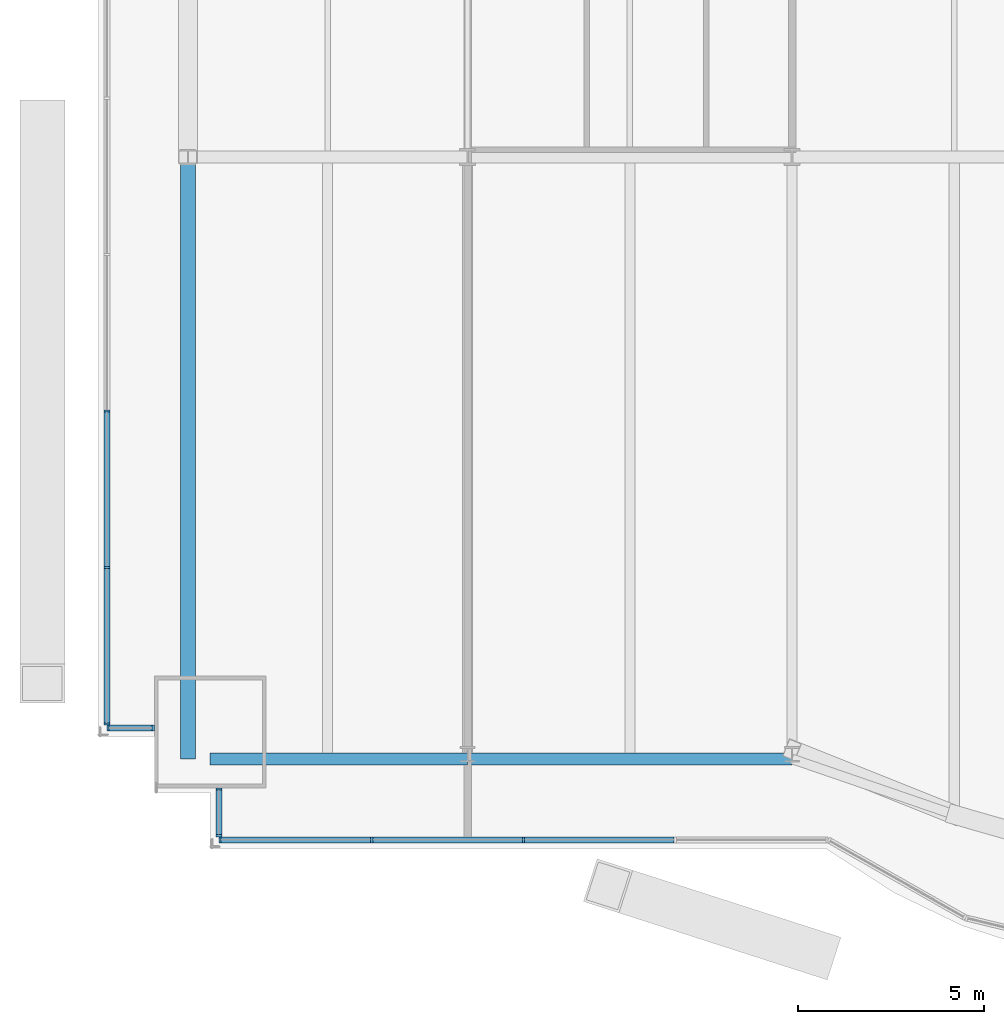
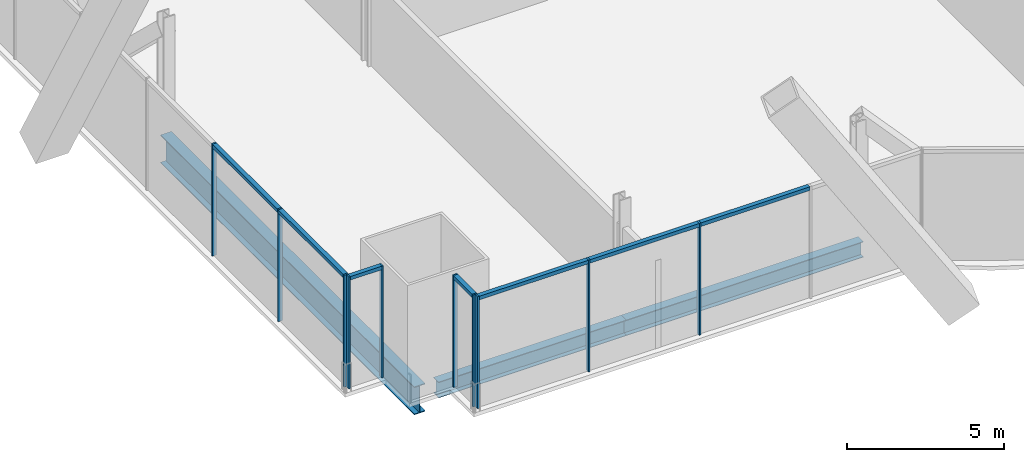
# One storey, part 4 of 23: 17 members, 3 beams, 4 elements without a shape of their own.
"""IFC4 building model written with IfcOpenShell, lengths in metres."""

from ifc_helpers import new_model, si_unit, direction, frame, origin, origin_2d, place, context, subcontext, project, spatial, rectangle, i_section, extrude, material, material_profile, profile_set, type_object, element, aggregate, save


model = new_model("IFC4")

# Units and contexts
model_context = context("Model", 3, precision=1e-05, world=origin(), true_north=direction((0.0, 1.0)))
body_context = subcontext(model_context, "Body", "Model", "MODEL_VIEW")
ifc_project = project(units=[si_unit("LENGTHUNIT", "METRE"), si_unit("AREAUNIT", "SQUARE_METRE"), si_unit("VOLUMEUNIT", "CUBIC_METRE"), si_unit("PLANEANGLEUNIT", "RADIAN"), si_unit("MASSUNIT", "GRAM", prefix="KILO")], contexts=[model_context])

# Site, building, storey
site_placement = place(None, origin())
site = spatial("IfcSite", under=ifc_project, at=site_placement, CompositionType="ELEMENT")
building_placement = place(site_placement, origin())
building = spatial("IfcBuilding", under=site, at=building_placement, Name="Bicima Exchange Tower", CompositionType="ELEMENT")
storey_placement = place(building_placement, frame((0.0, 0.0, 62.0)))
storey = spatial("IfcBuildingStorey", under=building, at=storey_placement, Name="L12", CompositionType="ELEMENT", Elevation=62.0)

# Curtain wall, members
ifc_material_1 = material(Name="Anodised bronze aluminium", Category="aluminium")
curtain_wall_type_1 = type_object("IfcCurtainWallType", Name="End face glass wall", PredefinedType="NOTDEFINED", material=ifc_material_1)
curtain_wall_1_placement = place(storey_placement, origin())
curtain_wall_1 = element("IfcCurtainWall", 1, at=curtain_wall_1_placement, inside=storey, type_object=curtain_wall_type_1, Name="End face glass wall L12 run 2", PredefinedType="NOTDEFINED")
ifc_material_profile_1 = material_profile(ifc_material_1, rectangle(XDim=0.159912109375, YDim=0.06005859375, at=origin_2d()))
ifc_profile_set_1 = profile_set([ifc_material_profile_1], Name="Anodised bronze aluminium")
member_type_1 = type_object("IfcMemberType", Name="End face glass wall mullion 60 x 160", PredefinedType="MULLION", material=ifc_profile_set_1)
member_1_placement = place(storey_placement, frame((-35.77001953125, -28.807373046875, 0.0), z_axis=(0.0, 0.0, 1.0), x_axis=(1.0, 0.0, 0.0)))
member_1 = element("IfcMember", 2, at=member_1_placement, type_object=member_type_1, Name="End face glass wall mullion 5", PredefinedType="MULLION", context=body_context, shape_type="SweptSolid", body=[
    extrude(rectangle(XDim=0.159912109375, YDim=0.06005859375, at=origin_2d()), origin(), (0.0, 0.0, 1.0), 4.35009765625),
])
member_2_placement = place(storey_placement, frame((-35.77001953125, -33.001708984375, 0.0), z_axis=(0.0, 0.0, 1.0), x_axis=(1.0, 0.0, 0.0)))
member_2 = element("IfcMember", 3, at=member_2_placement, type_object=member_type_1, Name="End face glass wall mullion 6", PredefinedType="MULLION", context=body_context, shape_type="SweptSolid", body=[
    extrude(rectangle(XDim=0.159912109375, YDim=0.06005859375, at=origin_2d()), origin(), (0.0, 0.0, 1.0), 4.35009765625),
])
member_3_placement = place(storey_placement, frame((-35.77001953125, -37.196044921875, 0.0), z_axis=(0.0, 0.0, 1.0), x_axis=(1.0, 0.0, 0.0)))
member_3 = element("IfcMember", 4, at=member_3_placement, type_object=member_type_1, Name="End face glass wall mullion 7", PredefinedType="MULLION", context=body_context, shape_type="SweptSolid", body=[
    extrude(rectangle(XDim=0.159912109375, YDim=0.06005859375, at=origin_2d()), origin(), (0.0, 0.0, 1.0), 4.35009765625),
])
ifc_material_profile_2 = material_profile(ifc_material_1, rectangle(XDim=0.159912109375, YDim=0.139892578125, at=origin_2d()))
ifc_profile_set_2 = profile_set([ifc_material_profile_2], Name="Anodised bronze aluminium")
member_type_2 = type_object("IfcMemberType", Name="End face glass wall transom 140 x 160", PredefinedType="USERDEFINED", material=ifc_profile_set_2)
member_4_placement = place(storey_placement, frame((-35.77001953125, -28.83740234375, 4.280029296875), z_axis=(0.0, -1.0, 0.0), x_axis=(1.0, 0.0, 0.0)))
member_4 = element("IfcMember", 5, at=member_4_placement, type_object=member_type_2, Name="End face glass wall transom 5.1", ObjectType="TRANSOM", PredefinedType="USERDEFINED", context=body_context, shape_type="SweptSolid", body=[
    extrude(rectangle(XDim=0.159912109375, YDim=0.139892578125, at=origin_2d()), origin(), (0.0, 0.0, 1.0), 4.13427734375),
])
member_5_placement = place(storey_placement, frame((-35.77001953125, -33.03173828125, 4.280029296875), z_axis=(0.0, -1.0, 0.0), x_axis=(1.0, 0.0, 0.0)))
member_5 = element("IfcMember", 6, at=member_5_placement, type_object=member_type_2, Name="End face glass wall transom 6.1", ObjectType="TRANSOM", PredefinedType="USERDEFINED", context=body_context, shape_type="SweptSolid", body=[
    extrude(rectangle(XDim=0.159912109375, YDim=0.139892578125, at=origin_2d()), origin(), (0.0, 0.0, 1.0), 4.13427734375),
])
aggregate(curtain_wall_1, [member_1, member_2, member_3, member_4, member_5])

# Beams
ifc_material_2 = material(Name="Steel ASTM A992 Gr 50", Category="steel")
ifc_material_profile_3 = material_profile(ifc_material_2, i_section(OverallWidth=0.4013671875, OverallDepth=1.089599609375, WebThickness=0.01806640625, FlangeThickness=0.031005859375, at=origin_2d()))
ifc_profile_set_3 = profile_set([ifc_material_profile_3], Name="Steel ASTM A992 Gr 50")
beam_type_1 = type_object("IfcBeamType", Name="End girder W44x230", PredefinedType="BEAM", material=ifc_profile_set_3)
beam_1_placement = place(storey_placement, frame((-33.60009765625, -22.0, -0.69482421875), z_axis=(0.0, -1.0, 0.0), x_axis=(1.0, 0.0, 0.0)))
element("IfcBeam", 7, at=beam_1_placement, inside=storey, type_object=beam_type_1, Name="End girder", PredefinedType="BEAM", context=body_context, shape_type="SweptSolid", body=[
    extrude(i_section(OverallWidth=0.4013671875, OverallDepth=1.089599609375, WebThickness=0.01806640625, FlangeThickness=0.031005859375, at=origin_2d()), origin(), (0.0, 0.0, 1.0), 16.135986328125),
])
ifc_material_profile_4 = material_profile(ifc_material_2, i_section(OverallWidth=0.3251953125, OverallDepth=0.612060546875, WebThickness=0.0126953125, FlangeThickness=0.01904296875, at=origin_2d()))
ifc_profile_set_4 = profile_set([ifc_material_profile_4], Name="Steel ASTM A992 Gr 50")
beam_type_2 = type_object("IfcBeamType", Name="Front girder W24x104", PredefinedType="BEAM", material=ifc_profile_set_4)
beam_2_placement = place(storey_placement, frame((-33.0, -38.135986328125, -0.4560546875), z_axis=(1.0, 0.0, 0.0), x_axis=(0.0, 1.0, 0.0)))
element("IfcBeam", 8, at=beam_2_placement, inside=storey, type_object=beam_type_2, Name="Front girder", PredefinedType="BEAM", context=body_context, shape_type="SweptSolid", body=[
    extrude(i_section(OverallWidth=0.3251953125, OverallDepth=0.612060546875, WebThickness=0.0126953125, FlangeThickness=0.01904296875, at=origin_2d()), origin(), (0.0, 0.0, 1.0), 6.89990234375),
])
beam_3_placement = place(storey_placement, frame((-26.10009765625, -38.135986328125, -0.4560546875), z_axis=(1.0, 0.0, 0.0), x_axis=(0.0, 1.0, 0.0)))
element("IfcBeam", 9, at=beam_3_placement, inside=storey, type_object=beam_type_2, Name="Front girder", PredefinedType="BEAM", context=body_context, shape_type="SweptSolid", body=[
    extrude(i_section(OverallWidth=0.3251953125, OverallDepth=0.612060546875, WebThickness=0.0126953125, FlangeThickness=0.01904296875, at=origin_2d()), origin(), (0.0, 0.0, 1.0), 8.7001953125),
])

# Curtain wall, members
curtain_wall_type_2 = type_object("IfcCurtainWallType", Name="Front glass wall", PredefinedType="NOTDEFINED", material=ifc_material_1)
curtain_wall_2_placement = place(storey_placement, origin())
curtain_wall_2 = element("IfcCurtainWall", 10, at=curtain_wall_2_placement, inside=storey, type_object=curtain_wall_type_2, Name="Front glass wall L12 run 3", PredefinedType="NOTDEFINED")
member_type_3 = type_object("IfcMemberType", Name="Front glass wall mullion 60 x 160", PredefinedType="MULLION", material=ifc_profile_set_1)
member_6_placement = place(storey_placement, frame((-35.739990234375, -37.305908203125, 0.0), z_axis=(0.0, 0.0, 1.0), x_axis=(0.0, 1.0, 0.0)))
member_6 = element("IfcMember", 11, at=member_6_placement, type_object=member_type_3, Name="Front glass wall mullion 1", PredefinedType="MULLION", context=body_context, shape_type="SweptSolid", body=[
    extrude(rectangle(XDim=0.159912109375, YDim=0.06005859375, at=origin_2d()), origin(), (0.0, 0.0, 1.0), 4.35009765625),
])
member_7_placement = place(storey_placement, frame((-34.530029296875, -37.305908203125, 0.0), z_axis=(0.0, 0.0, 1.0), x_axis=(0.0, 1.0, 0.0)))
member_7 = element("IfcMember", 12, at=member_7_placement, type_object=member_type_3, Name="Front glass wall mullion 2", PredefinedType="MULLION", context=body_context, shape_type="SweptSolid", body=[
    extrude(rectangle(XDim=0.159912109375, YDim=0.06005859375, at=origin_2d()), origin(), (0.0, 0.0, 1.0), 4.35009765625),
])

curtain_wall_3_placement = place(storey_placement, origin())
curtain_wall_3 = element("IfcCurtainWall", 13, at=curtain_wall_3_placement, inside=storey, type_object=curtain_wall_type_2, Name="Front glass wall L12 run 4", PredefinedType="NOTDEFINED")
member_8_placement = place(storey_placement, frame((-32.77001953125, -38.944091796875, 0.0), z_axis=(0.0, 0.0, 1.0), x_axis=(1.0, 0.0, 0.0)))
member_8 = element("IfcMember", 14, at=member_8_placement, type_object=member_type_3, Name="Front glass wall mullion 1", PredefinedType="MULLION", context=body_context, shape_type="SweptSolid", body=[
    extrude(rectangle(XDim=0.159912109375, YDim=0.06005859375, at=origin_2d()), origin(), (0.0, 0.0, 1.0), 4.35009765625),
])
member_9_placement = place(storey_placement, frame((-32.77001953125, -40.196044921875, 0.0), z_axis=(0.0, 0.0, 1.0), x_axis=(1.0, 0.0, 0.0)))
member_9 = element("IfcMember", 15, at=member_9_placement, type_object=member_type_3, Name="Front glass wall mullion 2", PredefinedType="MULLION", context=body_context, shape_type="SweptSolid", body=[
    extrude(rectangle(XDim=0.159912109375, YDim=0.06005859375, at=origin_2d()), origin(), (0.0, 0.0, 1.0), 4.35009765625),
])

curtain_wall_4_placement = place(storey_placement, origin())
curtain_wall_4 = element("IfcCurtainWall", 16, at=curtain_wall_4_placement, inside=storey, type_object=curtain_wall_type_2, Name="Front glass wall L12 run 5", PredefinedType="NOTDEFINED")
member_10_placement = place(storey_placement, frame((-32.739990234375, -40.305908203125, 0.0), z_axis=(0.0, 0.0, 1.0), x_axis=(0.0, 1.0, 0.0)))
member_10 = element("IfcMember", 17, at=member_10_placement, type_object=member_type_3, Name="Front glass wall mullion 1", PredefinedType="MULLION", context=body_context, shape_type="SweptSolid", body=[
    extrude(rectangle(XDim=0.159912109375, YDim=0.06005859375, at=origin_2d()), origin(), (0.0, 0.0, 1.0), 4.35009765625),
])
member_11_placement = place(storey_placement, frame((-28.67041015625, -40.305908203125, 0.0), z_axis=(0.0, 0.0, 1.0), x_axis=(0.0, 1.0, 0.0)))
member_11 = element("IfcMember", 18, at=member_11_placement, type_object=member_type_3, Name="Front glass wall mullion 2", PredefinedType="MULLION", context=body_context, shape_type="SweptSolid", body=[
    extrude(rectangle(XDim=0.159912109375, YDim=0.06005859375, at=origin_2d()), origin(), (0.0, 0.0, 1.0), 4.35009765625),
])
member_12_placement = place(storey_placement, frame((-24.60107421875, -40.305908203125, 0.0), z_axis=(0.0, 0.0, 1.0), x_axis=(0.0, 1.0, 0.0)))
member_12 = element("IfcMember", 19, at=member_12_placement, type_object=member_type_3, Name="Front glass wall mullion 3", PredefinedType="MULLION", context=body_context, shape_type="SweptSolid", body=[
    extrude(rectangle(XDim=0.159912109375, YDim=0.06005859375, at=origin_2d()), origin(), (0.0, 0.0, 1.0), 4.35009765625),
])

# Member
member_type_4 = type_object("IfcMemberType", Name="Front glass wall transom 140 x 160", PredefinedType="USERDEFINED", material=ifc_profile_set_2)
member_13_placement = place(storey_placement, frame((-35.7099609375, -37.305908203125, 4.280029296875), z_axis=(1.0, 0.0, 0.0), x_axis=(0.0, 1.0, 0.0)))
member_13 = element("IfcMember", 20, at=member_13_placement, type_object=member_type_4, Name="Front glass wall transom 1.1", ObjectType="TRANSOM", PredefinedType="USERDEFINED", context=body_context, shape_type="SweptSolid", body=[
    extrude(rectangle(XDim=0.159912109375, YDim=0.139892578125, at=origin_2d()), origin(), (0.0, 0.0, 1.0), 1.14990234375),
])

aggregate(curtain_wall_2, [member_6, member_7, member_13])

member_14_placement = place(storey_placement, frame((-32.77001953125, -38.97412109375, 4.280029296875), z_axis=(0.0, -1.0, 0.0), x_axis=(1.0, 0.0, 0.0)))
member_14 = element("IfcMember", 21, at=member_14_placement, type_object=member_type_4, Name="Front glass wall transom 1.1", ObjectType="TRANSOM", PredefinedType="USERDEFINED", context=body_context, shape_type="SweptSolid", body=[
    extrude(rectangle(XDim=0.159912109375, YDim=0.139892578125, at=origin_2d()), origin(), (0.0, 0.0, 1.0), 1.19189453125),
])

aggregate(curtain_wall_3, [member_8, member_9, member_14])

member_15_placement = place(storey_placement, frame((-32.7099609375, -40.305908203125, 4.280029296875), z_axis=(1.0, 0.0, 0.0), x_axis=(0.0, 1.0, 0.0)))
member_15 = element("IfcMember", 22, at=member_15_placement, type_object=member_type_4, Name="Front glass wall transom 1.1", ObjectType="TRANSOM", PredefinedType="USERDEFINED", context=body_context, shape_type="SweptSolid", body=[
    extrude(rectangle(XDim=0.159912109375, YDim=0.139892578125, at=origin_2d()), origin(), (0.0, 0.0, 1.0), 4.009521484375),
])

member_16_placement = place(storey_placement, frame((-28.640380859375, -40.305908203125, 4.280029296875), z_axis=(1.0, 0.0, 0.0), x_axis=(0.0, 1.0, 0.0)))
member_16 = element("IfcMember", 23, at=member_16_placement, type_object=member_type_4, Name="Front glass wall transom 2.1", ObjectType="TRANSOM", PredefinedType="USERDEFINED", context=body_context, shape_type="SweptSolid", body=[
    extrude(rectangle(XDim=0.159912109375, YDim=0.139892578125, at=origin_2d()), origin(), (0.0, 0.0, 1.0), 4.00927734375),
])

member_17_placement = place(storey_placement, frame((-24.571044921875, -40.305908203125, 4.280029296875), z_axis=(1.0, 0.0, 0.0), x_axis=(0.0, 1.0, 0.0)))
member_17 = element("IfcMember", 24, at=member_17_placement, type_object=member_type_4, Name="Front glass wall transom 3.1", ObjectType="TRANSOM", PredefinedType="USERDEFINED", context=body_context, shape_type="SweptSolid", body=[
    extrude(rectangle(XDim=0.159912109375, YDim=0.139892578125, at=origin_2d()), origin(), (0.0, 0.0, 1.0), 4.009521484375),
])

aggregate(curtain_wall_4, [member_10, member_11, member_12, member_15, member_16, member_17])

save(model, "model.ifc")
